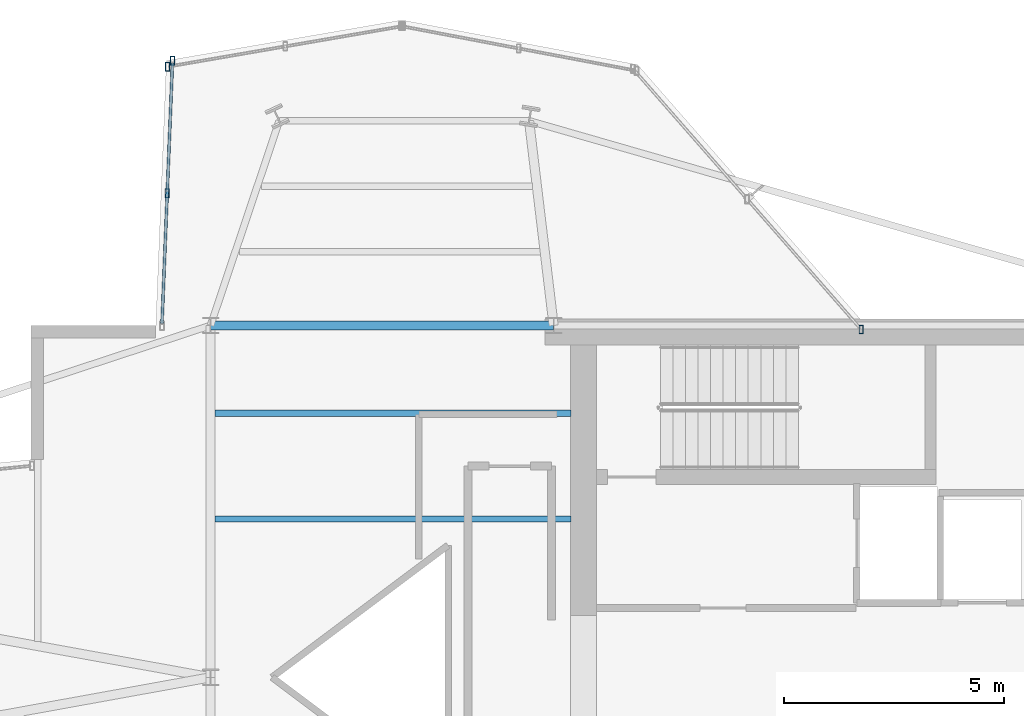
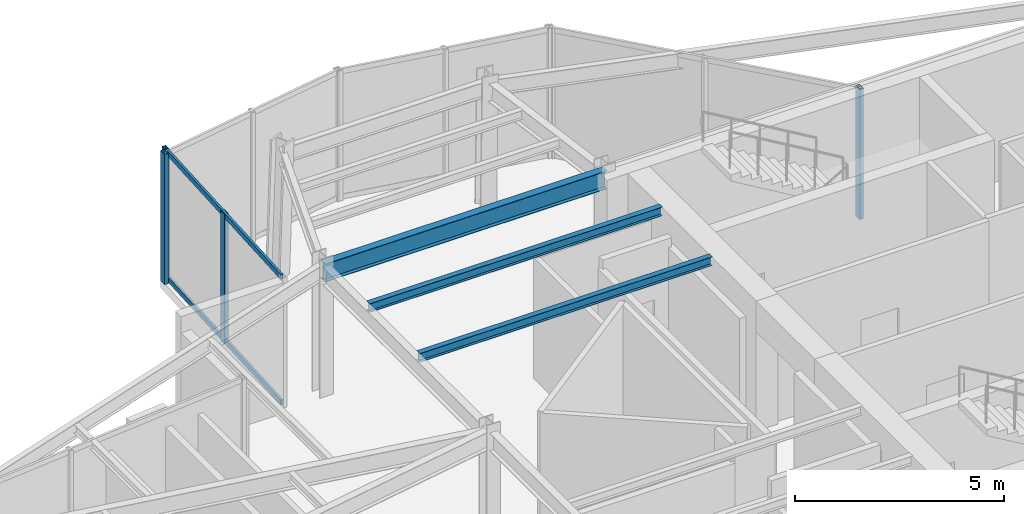
# One storey, part 5 of 13: 6 members, 3 beams, 3 elements without a shape of their own.
"""IFC4 building model written with IfcOpenShell, lengths in metres."""

from ifc_helpers import new_model, si_unit, direction, frame, origin, origin_2d, place, context, subcontext, project, spatial, hollow_rectangle, i_section, extrude, material, layer, layer_set, material_profile, profile_set, type_object, element, aggregate, save


model = new_model("IFC4")

# Units and contexts
model_context = context("Model", 3, precision=1e-05, world=origin(), true_north=direction((0.0, 1.0)))
body_context = subcontext(model_context, "Body", "Model", "MODEL_VIEW")
ifc_project = project(units=[si_unit("LENGTHUNIT", "METRE"), si_unit("AREAUNIT", "SQUARE_METRE"), si_unit("VOLUMEUNIT", "CUBIC_METRE"), si_unit("PLANEANGLEUNIT", "RADIAN"), si_unit("MASSUNIT", "GRAM", prefix="KILO")], contexts=[model_context])

# Site, building, storey
site_placement = place(None, origin())
site = spatial("IfcSite", under=ifc_project, at=site_placement, CompositionType="ELEMENT")
building_placement = place(site_placement, origin())
building = spatial("IfcBuilding", under=site, at=building_placement, Name="Veymaron Broadcast Tower", CompositionType="ELEMENT")
storey_placement = place(building_placement, frame((0.0, 0.0, 274.949951171875)))
storey = spatial("IfcBuildingStorey", under=building, at=storey_placement, Name="L64", CompositionType="ELEMENT", Elevation=274.949951171875)

# Beams
ifc_material_1 = material(Name="Structural steel ASTM A992 Gr 50", Category="steel")
ifc_material_profile_1 = material_profile(ifc_material_1, i_section(OverallWidth=0.208984375, OverallDepth=0.528076171875, WebThickness=0.009521484375, FlangeThickness=0.01318359375, at=origin_2d()), Name="W530X82")
ifc_profile_set_1 = profile_set([ifc_material_profile_1], Name="Structural steel ASTM A992 Gr 50")
beam_type_1 = type_object("IfcBeamType", Name="BM-FG4", PredefinedType="BEAM", material=ifc_profile_set_1)
beam_placement = place(storey_placement, frame((31.199951171875, 32.0, 3.546142578125), z_axis=(1.0, 0.0, 0.0), x_axis=(0.0, 1.0, 0.0)))
element("IfcBeam", 1, at=beam_placement, inside=storey, type_object=beam_type_1, Name="L64 primary structural floor girder", PredefinedType="BEAM", context=body_context, shape_type="SweptSolid", body=[
    extrude(i_section(OverallWidth=0.208984375, OverallDepth=0.528076171875, WebThickness=0.009521484375, FlangeThickness=0.01318359375, at=origin_2d()), origin(), (0.0, 0.0, 1.0), 7.800048828125),
])
ifc_material_profile_2 = material_profile(ifc_material_1, i_section(OverallWidth=0.14599609375, OverallDepth=0.258056640625, WebThickness=0.006103515625, FlangeThickness=0.009033203125, at=origin_2d()), Name="W250X33")
ifc_profile_set_2 = profile_set([ifc_material_profile_2], Name="Structural steel ASTM A992 Gr 50")
beam_type_2 = type_object("IfcBeamType", Name="BM-JS4", PredefinedType="JOIST", material=ifc_profile_set_2)
for number, where, z_axis, x_axis, name in (
    (2, (31.300048828125, 27.60009765625, 3.68115234375), (1.0, 0.0, 0.0), (0.0, 1.0, 0.0), "L64 Hub secondary joist 3"),
    (3, (31.300048828125, 30.0, 3.68115234375), (1.0, 0.0, 0.0), (0.0, 1.0, 0.0), "L64 Hub secondary joist 4"),
):
    element("IfcBeam", number, at=place(storey_placement, frame(where, z_axis=z_axis, x_axis=x_axis)), inside=storey, type_object=beam_type_2, Name=name, PredefinedType="JOIST", context=body_context, shape_type="SweptSolid", body=[
        extrude(i_section(OverallWidth=0.14599609375, OverallDepth=0.258056640625, WebThickness=0.006103515625, FlangeThickness=0.009033203125, at=origin_2d()), origin(), (0.0, 0.0, 1.0), 8.099853515625),
    ])

# Curtain wall, member
ifc_material_2 = material(Name="Anodised aluminium AA 6063-T6 and laminated low-E dark glass", Category="aluminium")
ifc_layer = layer(ifc_material_2, 0.179931640625)
ifc_layer_set = layer_set([ifc_layer], Name="Anodised aluminium AA 6063-T6 and laminated low-E dark glass")
curtain_wall_type = type_object("IfcCurtainWallType", Name="CW-SYS-06", PredefinedType="NOTDEFINED", material=ifc_layer_set)
curtain_wall_1_placement = place(storey_placement, origin())
curtain_wall_1 = element("IfcCurtainWall", 4, at=curtain_wall_1_placement, inside=storey, type_object=curtain_wall_type, Name="L64 dark-glass curtain wall CW-L64-E5-1", PredefinedType="NOTDEFINED")
ifc_material_3 = material(Name="Anodised aluminium AA 6063-T6", Category="aluminium")
ifc_material_profile_3 = material_profile(ifc_material_3, hollow_rectangle(XDim=0.10009765625, YDim=0.199951171875, WallThickness=0.010009765625, at=origin_2d()), Name="RHS200X100X10")
ifc_profile_set_3 = profile_set([ifc_material_profile_3], Name="Anodised aluminium AA 6063-T6")
member_type_1 = type_object("IfcMemberType", Name="CW-MUL-01", PredefinedType="MULLION", material=ifc_profile_set_3)
member_1_placement = place(storey_placement, frame((45.994384765625, 31.90771484375, 0.0), z_axis=(0.0, 0.0, 1.0), x_axis=(1.0, 0.0, 0.0)))
member_1 = element("IfcMember", 5, at=member_1_placement, type_object=member_type_1, Name="CW-L64-E5-1 mullion 0", PredefinedType="MULLION", context=body_context, shape_type="SweptSolid", body=[
    extrude(hollow_rectangle(XDim=0.10009765625, YDim=0.199951171875, WallThickness=0.010009765625, at=origin_2d()), origin(), (0.0, 0.0, 1.0), 3.81005859375),
])
aggregate(curtain_wall_1, [member_1])

curtain_wall_2_placement = place(storey_placement, origin())
curtain_wall_2 = element("IfcCurtainWall", 6, at=curtain_wall_2_placement, inside=storey, type_object=curtain_wall_type, Name="L64 dark-glass curtain wall CW-L64-E7-1", PredefinedType="NOTDEFINED")
member_2_placement = place(storey_placement, frame((30.21875, 37.88330078125, 0.0), z_axis=(0.0, 0.0, 1.0), x_axis=(1.0, 0.0, 0.0)))
member_2 = element("IfcMember", 7, at=member_2_placement, type_object=member_type_1, Name="CW-L64-E7-1 mullion 2", PredefinedType="MULLION", context=body_context, shape_type="SweptSolid", body=[
    extrude(hollow_rectangle(XDim=0.10009765625, YDim=0.199951171875, WallThickness=0.010009765625, at=origin_2d()), origin(), (0.0, 0.0, 1.0), 3.81005859375),
])
aggregate(curtain_wall_2, [member_2])

# Curtain wall, members
curtain_wall_3_placement = place(storey_placement, origin())
curtain_wall_3 = element("IfcCurtainWall", 8, at=curtain_wall_3_placement, inside=storey, type_object=curtain_wall_type, Name="L64 dark-glass curtain wall CW-L64-E8-1", PredefinedType="NOTDEFINED")
member_3_placement = place(storey_placement, frame((30.3349609375, 38.015625, 0.0), z_axis=(0.0, 0.0, 1.0), x_axis=(1.0, 0.0, 0.0)))
member_3 = element("IfcMember", 9, at=member_3_placement, type_object=member_type_1, Name="CW-L64-E8-1 mullion 0", PredefinedType="MULLION", context=body_context, shape_type="SweptSolid", body=[
    extrude(hollow_rectangle(XDim=0.10009765625, YDim=0.199951171875, WallThickness=0.010009765625, at=origin_2d()), origin(), (0.0, 0.0, 1.0), 3.81005859375),
])
member_4_placement = place(storey_placement, frame((30.214111328125, 35.0048828125, 0.0), z_axis=(0.0, 0.0, 1.0), x_axis=(1.0, 0.0, 0.0)))
member_4 = element("IfcMember", 10, at=member_4_placement, type_object=member_type_1, Name="CW-L64-E8-1 mullion 1", PredefinedType="MULLION", context=body_context, shape_type="SweptSolid", body=[
    extrude(hollow_rectangle(XDim=0.10009765625, YDim=0.199951171875, WallThickness=0.010009765625, at=origin_2d()), origin(), (0.0, 0.0, 1.0), 3.81005859375),
])
ifc_material_profile_4 = material_profile(ifc_material_3, hollow_rectangle(XDim=0.06494140625, YDim=0.14990234375, WallThickness=0.00390625, at=origin_2d()), Name="AL150X65X4")
ifc_profile_set_4 = profile_set([ifc_material_profile_4], Name="Anodised aluminium AA 6063-T6")
member_type_2 = type_object("IfcMemberType", Name="CW-TRN-01", PredefinedType="USERDEFINED", material=ifc_profile_set_4)
member_5_placement = place(storey_placement, frame((30.3330078125, 37.965576171875, 0.070068359375), z_axis=(-0.040045368506, -0.999197862518, 0.0), x_axis=(0.999197862518, -0.040045368506, 0.0)))
member_5 = element("IfcMember", 11, at=member_5_placement, type_object=member_type_2, Name="CW-L64-E8-1 transom B", ObjectType="TRANSOM", PredefinedType="USERDEFINED", context=body_context, shape_type="SweptSolid", body=[
    extrude(hollow_rectangle(XDim=0.06494140625, YDim=0.14990234375, WallThickness=0.00390625, at=origin_2d()), origin(), (0.0, 0.0, 1.0), 5.92578125),
])
member_6_placement = place(storey_placement, frame((30.3330078125, 37.965576171875, 3.739990234375), z_axis=(-0.040045368506, -0.999197862518, 0.0), x_axis=(0.999197862518, -0.040045368506, 0.0)))
member_6 = element("IfcMember", 12, at=member_6_placement, type_object=member_type_2, Name="CW-L64-E8-1 transom T", ObjectType="TRANSOM", PredefinedType="USERDEFINED", context=body_context, shape_type="SweptSolid", body=[
    extrude(hollow_rectangle(XDim=0.06494140625, YDim=0.14990234375, WallThickness=0.00390625, at=origin_2d()), origin(), (0.0, 0.0, 1.0), 5.92578125),
])
aggregate(curtain_wall_3, [member_3, member_4, member_5, member_6])

save(model, "model.ifc")
